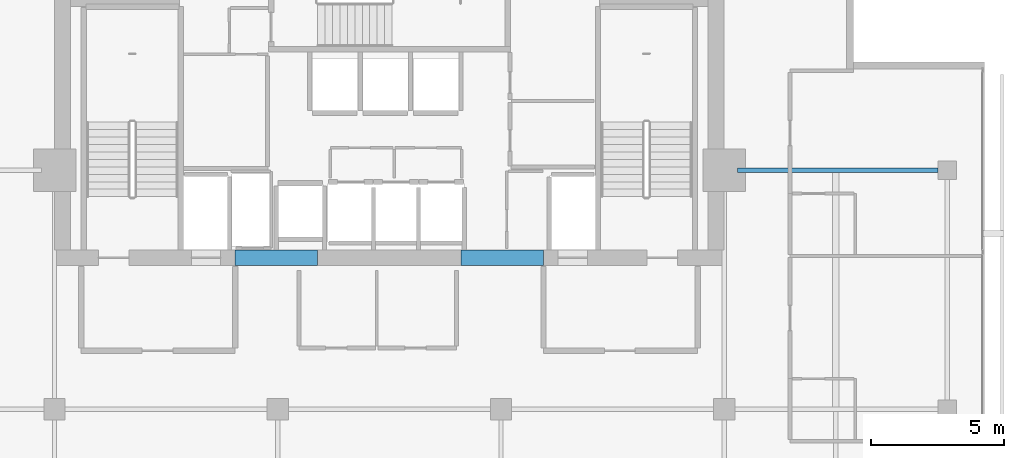
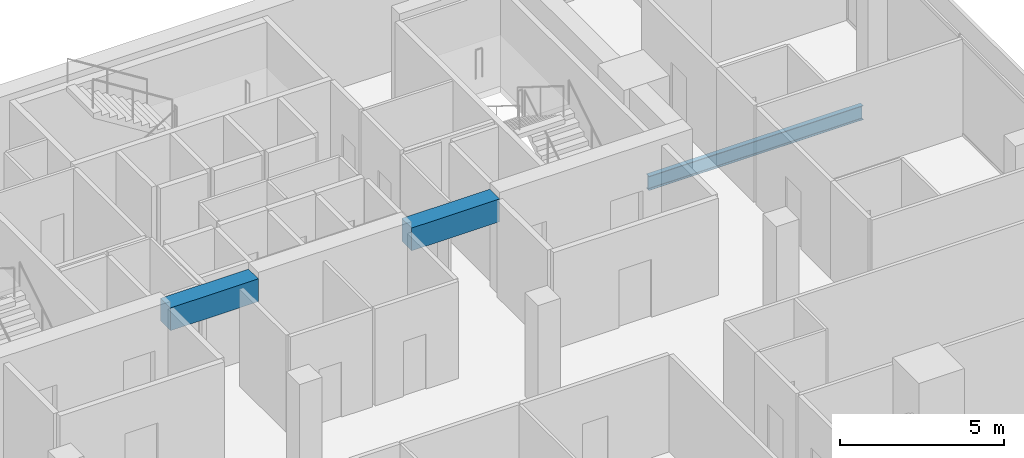
# One storey, part 17 of 26: 3 beams.
"""IFC4 building model written with IfcOpenShell, lengths in metres."""

from ifc_helpers import new_model, si_unit, direction, frame, origin, origin_2d, place, context, subcontext, project, spatial, rectangle, i_section, extrude, material, material_profile, profile_set, type_object, element, save


model = new_model("IFC4")

# Units and contexts
model_context = context("Model", 3, precision=1e-05, world=origin(), true_north=direction((0.0, 1.0)))
body_context = subcontext(model_context, "Body", "Model", "MODEL_VIEW")
ifc_project = project(units=[si_unit("LENGTHUNIT", "METRE"), si_unit("AREAUNIT", "SQUARE_METRE"), si_unit("VOLUMEUNIT", "CUBIC_METRE"), si_unit("PLANEANGLEUNIT", "RADIAN"), si_unit("MASSUNIT", "GRAM", prefix="KILO")], contexts=[model_context])

# Site, building, storey
site_placement = place(None, origin())
site = spatial("IfcSite", under=ifc_project, at=site_placement, CompositionType="ELEMENT")
building_placement = place(site_placement, origin())
building = spatial("IfcBuilding", under=site, at=building_placement, Name="Maruvema Waterfront Hotel and Observation Tower", CompositionType="ELEMENT")
storey_placement = place(building_placement, frame((0.0, 0.0, 301.0)))
storey = spatial("IfcBuildingStorey", under=building, at=storey_placement, Name="L74", CompositionType="ELEMENT", Elevation=301.0)

# Beams
ifc_material_1 = material(Name="Concrete C60/75", Category="concrete")
ifc_material_profile_1 = material_profile(ifc_material_1, rectangle(XDim=0.60009765625, YDim=0.85009765625, at=origin_2d()), Name="CB600x850")
ifc_profile_set_1 = profile_set([ifc_material_profile_1], Name="Concrete C60/75")
beam_type_1 = type_object("IfcBeamType", Name="Core Coupling Lintel Beam CB600x850", PredefinedType="LINTEL", material=ifc_profile_set_1)
for number, where, z_axis, x_axis, name in (
    (1, (32.0, 41.699951171875, 3.18505859375), (1.0, 0.0, 0.0), (0.0, 1.0, 0.0), "L74 Core Coupling Lintel Beam West"),
    (2, (40.5, 41.699951171875, 3.18505859375), (1.0, 0.0, 0.0), (0.0, 1.0, 0.0), "L74 Core Coupling Lintel Beam East"),
):
    element("IfcBeam", number, at=place(storey_placement, frame(where, z_axis=z_axis, x_axis=x_axis)), inside=storey, type_object=beam_type_1, Name=name, PredefinedType="LINTEL", context=body_context, shape_type="SweptSolid", body=[
        extrude(rectangle(XDim=0.60009765625, YDim=0.85009765625, at=origin_2d()), origin(), (0.0, 0.0, 1.0), 3.10009765625),
    ])
ifc_material_2 = material(Name="Steel ASTM A572 Grade 50", Category="steel")
ifc_material_profile_2 = material_profile(ifc_material_2, i_section(OverallWidth=0.166015625, OverallDepth=0.529052734375, WebThickness=0.009765625, FlangeThickness=0.013671875, FilletRadius=0.014892578125, at=origin_2d()), Name="W530x74.0")
ifc_profile_set_2 = profile_set([ifc_material_profile_2], Name="Steel ASTM A572 Grade 50")
beam_type_2 = type_object("IfcBeamType", Name="Primary Floor Girder W530x74.0", PredefinedType="BEAM", material=ifc_profile_set_2)
beam_placement = place(storey_placement, frame((50.89990234375, 45.0, -0.50439453125), z_axis=(1.0, 0.0, 0.0), x_axis=(0.0, 1.0, 0.0)))
element("IfcBeam", 3, at=beam_placement, inside=storey, type_object=beam_type_2, Name="L74 Floor Girder EW-18", PredefinedType="BEAM", context=body_context, shape_type="SweptSolid", body=[
    extrude(i_section(OverallWidth=0.166015625, OverallDepth=0.529052734375, WebThickness=0.009765625, FlangeThickness=0.013671875, FilletRadius=0.014892578125, at=origin_2d()), origin(), (0.0, 0.0, 1.0), 7.550048828125),
])

save(model, "model.ifc")
